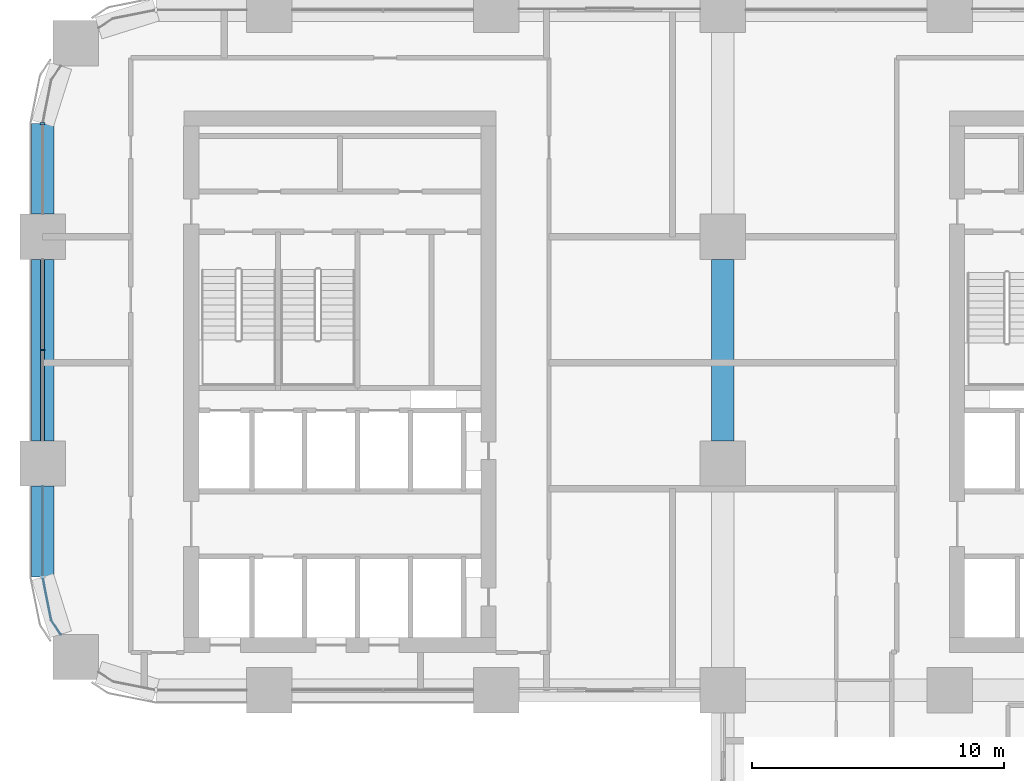
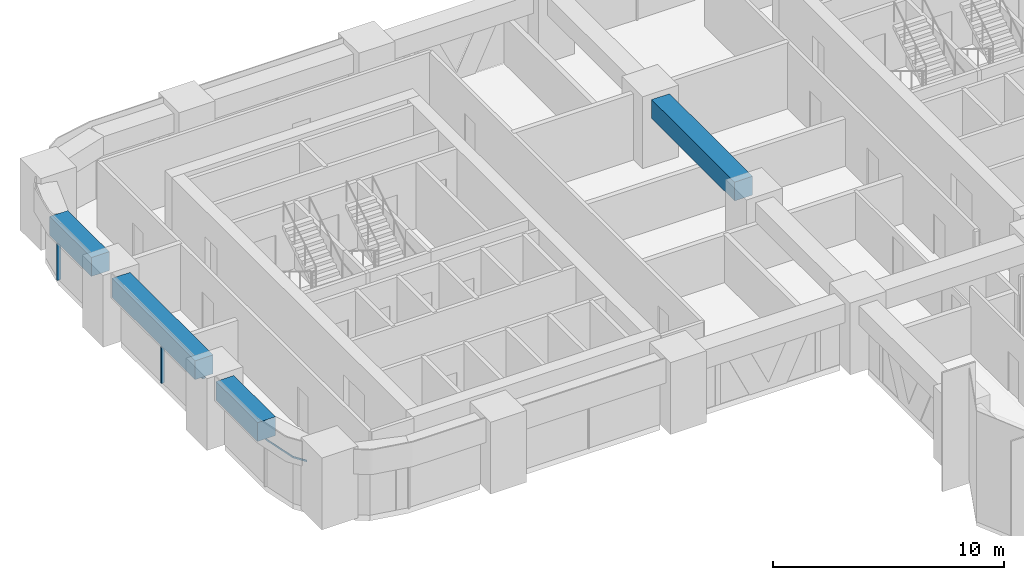
# One storey, part 7 of 19: 4 beams, 4 members, 3 elements without a shape of their own.
"""IFC4 building model written with IfcOpenShell, lengths in metres."""

import ifcopenshell
import ifcopenshell.guid

model = None  # the IFC model being written
_history = None  # IfcOwnerHistory: only IFC2X3 demands one
_inside = {}  # id of a spatial element -> (the spatial element, [elements in it])
_under = {}  # id of a project, library or spatial element -> (it, [spatial elements below it])
_declared = {}  # id of a project -> (the project, [libraries it declares])
_typed = {}  # id of a type object -> (the type object, [elements of that type])
_made_of = {}  # id of a material, layer set ... -> (it, [elements and type objects made of it])


def new_model(schema):
    """Start an empty IFC model of exactly this schema.

    Asked for "IFC4X3", IfcOpenShell would pick the latest addendum, in which some entities
    have other attributes; the version numbers below select the first issue.
    IFC2X3 requires an IfcOwnerHistory on every rooted entity: one is made here for all.
    """
    global model, _history
    if schema == "IFC4X3":
        model = ifcopenshell.file(schema_version=(4, 3, 0, 0))
    else:
        model = ifcopenshell.file(schema=schema)
    _inside.clear()
    _under.clear()
    _declared.clear()
    _typed.clear()
    _made_of.clear()
    _history = None
    if model.schema == "IFC2X3":
        org = make("IfcOrganization", Name="unknown")
        user = make(
            "IfcPersonAndOrganization",
            ThePerson=make("IfcPerson", FamilyName="unknown"),
            TheOrganization=org,
        )
        app = make(
            "IfcApplication",
            ApplicationDeveloper=org,
            Version="unknown",
            ApplicationFullName="unknown",
            ApplicationIdentifier="unknown",
        )
        _history = make(
            "IfcOwnerHistory",
            OwningUser=user,
            OwningApplication=app,
            ChangeAction="ADDED",
            CreationDate=0,
        )
    return model


def make(cls, **values):
    """One entity of the class cls with the attributes given. An attribute that is None is left unset."""
    return model.create_entity(
        cls, **{name: value for name, value in values.items() if value is not None}
    )


def rooted(cls, **values):
    """An entity with a GlobalId (a new one), such as an element, a storey or a relation."""
    return make(cls, GlobalId=ifcopenshell.guid.new(), OwnerHistory=_history, **values)


def si_unit(unit_type, name, prefix=None):
    """IfcSIUnit, for example si_unit("LENGTHUNIT", "METRE", prefix="MILLI")."""
    return make("IfcSIUnit", UnitType=unit_type, Prefix=prefix, Name=name)


def assignment(units):
    """IfcUnitAssignment: the units of a project."""
    return None if units is None else make("IfcUnitAssignment", Units=units)


def point(xyz):
    """IfcCartesianPoint."""
    return None if xyz is None else make("IfcCartesianPoint", Coordinates=xyz)


def direction(xyz):
    """IfcDirection."""
    return None if xyz is None else make("IfcDirection", DirectionRatios=xyz)


def frame(location, z_axis=None, x_axis=None):
    """IfcAxis2Placement3D, a coordinate frame: its origin and axes. An axis left out is left unset."""
    return make(
        "IfcAxis2Placement3D",
        Location=point(location),
        Axis=direction(z_axis),
        RefDirection=direction(x_axis),
    )


def frame_2d(location, x_axis=None):
    """IfcAxis2Placement2D, a coordinate frame in the plane: its origin and x axis."""
    return make(
        "IfcAxis2Placement2D", Location=point(location), RefDirection=direction(x_axis)
    )


def origin():
    """The frame at (0, 0, 0) with its axes left unset."""
    return frame((0.0, 0.0, 0.0))


def origin_2d():
    """The frame at (0, 0) in the plane with its x axis left unset."""
    return frame_2d((0.0, 0.0))


def place(relative_to, where):
    """IfcLocalPlacement: puts the frame where relative to a parent placement (None: the world)."""
    return make(
        "IfcLocalPlacement", PlacementRelTo=relative_to, RelativePlacement=where
    )


def context(
    kind, dimensions, precision=None, world=None, true_north=None, identifier=None
):
    """IfcGeometricRepresentationContext, for example the 3D "Model" context."""
    return make(
        "IfcGeometricRepresentationContext",
        ContextIdentifier=identifier,
        ContextType=kind,
        CoordinateSpaceDimension=dimensions,
        Precision=precision,
        WorldCoordinateSystem=world,
        TrueNorth=true_north,
    )


def subcontext(parent, identifier, kind, view, scale=None):
    """IfcGeometricRepresentationSubContext, for example "Body" below "Model"."""
    return make(
        "IfcGeometricRepresentationSubContext",
        ContextIdentifier=identifier,
        ContextType=kind,
        ParentContext=parent,
        TargetScale=scale,
        TargetView=view,
    )


def project(units=None, contexts=None):
    """IfcProject with its units and contexts."""
    return rooted(
        "IfcProject",
        Name="project",
        RepresentationContexts=contexts,
        UnitsInContext=assignment(units),
    )


def spatial(cls, under=None, at=None, **own):
    """A site, building, storey or space (cls), placed at a placement, below another one or the project."""
    s = rooted(cls, ObjectPlacement=at, **own)
    if under is not None:
        _under.setdefault(under.id(), (under, []))[1].append(s)
    return s


def polyline(points):
    """IfcPolyline through the points."""
    return make("IfcPolyline", Points=[point(p) for p in points])


def profile(cls, at=None, kind="AREA", **sizes):
    """A parametric profile (cls). Its sizes go by their IFC names, for example OverallWidth=200.0."""
    return make(cls, ProfileType=kind, Position=at, **sizes)


def rectangle(**sizes):
    """IfcRectangleProfileDef."""
    return profile("IfcRectangleProfileDef", **sizes)


def outline(outer, holes=None, kind="AREA"):
    """IfcArbitraryClosedProfileDef: a profile drawn as a closed curve; with holes, ...WithVoids."""
    if holes is None:
        return make("IfcArbitraryClosedProfileDef", ProfileType=kind, OuterCurve=outer)
    return make(
        "IfcArbitraryProfileDefWithVoids",
        ProfileType=kind,
        OuterCurve=outer,
        InnerCurves=holes,
    )


def extrude(swept, where, along, depth):
    """IfcExtrudedAreaSolid: the profile swept, set in the frame where, extruded along a direction by depth."""
    return make(
        "IfcExtrudedAreaSolid",
        SweptArea=swept,
        Position=where,
        ExtrudedDirection=direction(along),
        Depth=depth,
    )


def shape(context_of_items, identifier, shape_type, items):
    """IfcShapeRepresentation: the items that make up one representation, for example the "Body"."""
    return make(
        "IfcShapeRepresentation",
        ContextOfItems=context_of_items,
        RepresentationIdentifier=identifier,
        RepresentationType=shape_type,
        Items=items,
    )


def material(Name=None, Category=None):
    """IfcMaterial."""
    return make("IfcMaterial", Name=Name, Category=Category)


def material_profile(
    of_material, cross_section, Name=None, Category=None, Priority=None
):
    """IfcMaterialProfile: a cross section and its material."""
    return make(
        "IfcMaterialProfile",
        Name=Name,
        Material=of_material,
        Profile=cross_section,
        Priority=Priority,
        Category=Category,
    )


def profile_set(profiles, Name=None, composite=None):
    """IfcMaterialProfileSet."""
    return make(
        "IfcMaterialProfileSet",
        Name=Name,
        MaterialProfiles=profiles,
        CompositeProfile=composite,
    )


def made_of(thing, what):
    """Note that an element or type object is made of a material, layer set ...; save() writes the relation."""
    if what is not None:
        _made_of.setdefault(what.id(), (what, []))[1].append(thing)
    return thing


def type_object(cls, material=None, **own):
    """A type object (cls), such as IfcWallType, which elements share."""
    return made_of(rooted(cls, **own), material)


def element(
    cls,
    number,
    at=None,
    inside=None,
    cuts=None,
    type_object=None,
    material=None,
    context=None,
    identifier="Body",
    shape_type=None,
    held_by="IfcProductDefinitionShape",
    body=None,
    shapes=None,
    **own,
):
    """One element of the class cls, such as IfcWall. Its Tag is "e" and its number.

    at: its placement. inside: the storey or other place that contains it. cuts: it is an
    opening in that element (IfcRelVoidsElement). A single representation is given by context,
    identifier, shape_type and body (its items); several are given by shapes. held_by: the class
    of the entity that holds the representations. save() writes the other relations.
    """
    e = rooted(cls, Tag="e%d" % number, ObjectPlacement=at, **own)
    if body is not None:
        shapes = [shape(context, identifier, shape_type, body)]
    if shapes is not None:
        e.Representation = make(held_by, Representations=shapes)
    if inside is not None:
        _inside.setdefault(inside.id(), (inside, []))[1].append(e)
    if cuts is not None:
        rooted(
            "IfcRelVoidsElement", RelatingBuildingElement=cuts, RelatedOpeningElement=e
        )
    if type_object is not None:
        _typed.setdefault(type_object.id(), (type_object, []))[1].append(e)
    return made_of(e, material)


def aggregate(whole, parts):
    """IfcRelAggregates: a whole, such as a stair, and the parts it consists of."""
    return rooted("IfcRelAggregates", RelatingObject=whole, RelatedObjects=parts)


def save(model, path):
    """Write the relations noted so far, then the file.

    IfcRelAggregates (storeys below a building ...), IfcRelContainedInSpatialStructure (elements
    in a storey), IfcRelDefinesByType, IfcRelAssociatesMaterial and IfcRelDeclares: one each for
    every whole, place, type object, material and project.
    """
    for whole, parts in _under.values():
        aggregate(whole, parts)
    for where, things in _inside.values():
        rooted(
            "IfcRelContainedInSpatialStructure",
            RelatedElements=things,
            RelatingStructure=where,
        )
    for kind, things in _typed.values():
        rooted("IfcRelDefinesByType", RelatedObjects=things, RelatingType=kind)
    for what, things in _made_of.values():
        rooted("IfcRelAssociatesMaterial", RelatedObjects=things, RelatingMaterial=what)
    for by, libraries in _declared.values():
        rooted("IfcRelDeclares", RelatingContext=by, RelatedDefinitions=libraries)
    model.write(path)


model = new_model("IFC4")

# Units and contexts
model_context = context("Model", 3, precision=1e-05, world=origin(), true_north=direction((0.0, 1.0)))
body_context = subcontext(model_context, "Body", "Model", "MODEL_VIEW")
ifc_project = project(units=[si_unit("LENGTHUNIT", "METRE"), si_unit("AREAUNIT", "SQUARE_METRE"), si_unit("VOLUMEUNIT", "CUBIC_METRE"), si_unit("PLANEANGLEUNIT", "RADIAN"), si_unit("MASSUNIT", "GRAM", prefix="KILO")], contexts=[model_context])

# Site, building, storey
site_placement = place(None, origin())
site = spatial("IfcSite", under=ifc_project, at=site_placement, CompositionType="ELEMENT")
building_placement = place(site_placement, origin())
building = spatial("IfcBuilding", under=site, at=building_placement, Name="Tessera Arch", CompositionType="ELEMENT")
storey_placement = place(building_placement, frame((0.0, 0.0, 85.39990234375)))
storey = spatial("IfcBuildingStorey", under=building, at=storey_placement, Name="L19", CompositionType="ELEMENT", Elevation=85.39990234375)

# Curtain wall, members
ifc_material_1 = material(Name="CW1 curtain wall")
curtain_wall_type_1 = type_object("IfcCurtainWallType", Name="CW1 curtain wall", PredefinedType="NOTDEFINED", material=ifc_material_1)
curtain_wall_1_placement = place(storey_placement, origin())
curtain_wall_1 = element("IfcCurtainWall", 1, at=curtain_wall_1_placement, inside=storey, type_object=curtain_wall_type_1, Name="CW1 curtain wall W0.27/1 L19", PredefinedType="NOTDEFINED")
ifc_material_2 = material(Name="Anodised aluminium pale metal", Category="aluminium")
ifc_material_profile_1 = material_profile(ifc_material_2, rectangle(XDim=0.159912109375, YDim=0.06005859375, at=origin_2d()), Name="AL 60x160")
ifc_profile_set_1 = profile_set([ifc_material_profile_1], Name="Anodised aluminium pale metal")
member_type_1 = type_object("IfcMemberType", Name="CW1 mullion", PredefinedType="MULLION", material=ifc_profile_set_1)
member_1_placement = place(storey_placement, frame((0.0, 40.5, 0.0), z_axis=(0.0, 0.0, 1.0), x_axis=(1.0, 0.0, 0.0)))
member_1 = element("IfcMember", 2, at=member_1_placement, type_object=member_type_1, Name="CW1 mullion W0.27/1 1", PredefinedType="MULLION", context=body_context, shape_type="SweptSolid", body=[
    extrude(rectangle(XDim=0.159912109375, YDim=0.06005859375, at=origin_2d()), origin(), (0.0, 0.0, 1.0), 2.400146484375),
])
ifc_material_3 = material(Name="Anodised aluminium pale metal", Category="aluminium")
ifc_material_profile_2 = material_profile(ifc_material_3, rectangle(XDim=0.159912109375, YDim=0.10009765625, at=origin_2d()), Name="AL 160x100")
ifc_profile_set_2 = profile_set([ifc_material_profile_2], Name="Anodised aluminium pale metal")
member_type_2 = type_object("IfcMemberType", Name="CW1 transom", PredefinedType="USERDEFINED", material=ifc_profile_set_2)
member_2_placement = place(storey_placement, frame((0.0, 44.10009765625, 2.4501953125), z_axis=(0.0, -1.0, 0.0), x_axis=(1.0, 0.0, 0.0)))
member_2 = element("IfcMember", 3, at=member_2_placement, type_object=member_type_2, Name="CW1 transom W0.27/1 1.1", ObjectType="TRANSOM", PredefinedType="USERDEFINED", context=body_context, shape_type="SweptSolid", body=[
    extrude(rectangle(XDim=0.159912109375, YDim=0.10009765625, at=origin_2d()), origin(), (0.0, 0.0, 1.0), 7.2001953125),
])
aggregate(curtain_wall_1, [member_1, member_2])

# Curtain wall, member
ifc_material_4 = material(Name="CW2 curtain wall")
curtain_wall_type_2 = type_object("IfcCurtainWallType", Name="CW2 curtain wall", PredefinedType="NOTDEFINED", material=ifc_material_4)
curtain_wall_2_placement = place(storey_placement, origin())
curtain_wall_2 = element("IfcCurtainWall", 4, at=curtain_wall_2_placement, inside=storey, type_object=curtain_wall_type_2, Name="CW2 curtain wall W0.27/0 L19", PredefinedType="NOTDEFINED")
ifc_material_5 = material(Name="Anodised aluminium pale metal", Category="aluminium")
ifc_material_profile_3 = material_profile(ifc_material_5, rectangle(XDim=0.199951171875, YDim=0.080078125, at=origin_2d()), Name="AL 80x200")
ifc_profile_set_3 = profile_set([ifc_material_profile_3], Name="Anodised aluminium pale metal")
member_type_3 = type_object("IfcMemberType", Name="CW2 mullion", PredefinedType="MULLION", material=ifc_profile_set_3)
member_3_placement = place(storey_placement, frame((0.0, 49.5, 0.0), z_axis=(0.0, 0.0, 1.0), x_axis=(1.0, 0.0, 0.0)))
member_3 = element("IfcMember", 5, at=member_3_placement, type_object=member_type_3, Name="CW2 mullion W0.27/0 1", PredefinedType="MULLION", context=body_context, shape_type="SweptSolid", body=[
    extrude(rectangle(XDim=0.199951171875, YDim=0.080078125, at=origin_2d()), origin(), (0.0, 0.0, 1.0), 2.400146484375),
])
aggregate(curtain_wall_2, [member_3])

curtain_wall_3_placement = place(storey_placement, origin())
curtain_wall_3 = element("IfcCurtainWall", 6, at=curtain_wall_3_placement, inside=storey, type_object=curtain_wall_type_2, Name="CW2 curtain wall W0.27/2 L19", PredefinedType="NOTDEFINED")
ifc_material_6 = material(Name="Anodised aluminium pale metal", Category="aluminium")
ifc_material_profile_4 = material_profile(ifc_material_6, rectangle(XDim=0.199951171875, YDim=0.10009765625, at=origin_2d()), Name="AL 200x100")
ifc_profile_set_4 = profile_set([ifc_material_profile_4], Name="Anodised aluminium pale metal")
member_type_4 = type_object("IfcMemberType", Name="CW2 transom", PredefinedType="USERDEFINED", material=ifc_profile_set_4)
member_4_placement = place(storey_placement, frame((0.0, 0.0, 2.400146484375)))
member_4 = element("IfcMember", 7, at=member_4_placement, type_object=member_type_4, Name="CW2 transom W0.27/2 1", ObjectType="TRANSOM", PredefinedType="USERDEFINED", context=body_context, shape_type="SweptSolid", body=[
    extrude(outline(polyline([(0.010009765625, 31.5009765625), (0.010009765625, 35.10009765625), (-0.010009765625, 35.10009765625), (-0.010009765625, 31.4990234375), (0.3330078125, 29.77392578125), (0.70849609375, 29.21240234375), (0.72509765625, 29.2236328125), (0.351806640625, 29.78173828125), (0.010009765625, 31.5009765625)])), origin(), (0.0, 0.0, 1.0), 0.099853515625),
])
aggregate(curtain_wall_3, [member_4])

# Beams
ifc_material_7 = material(Name="Concrete C80/95", Category="concrete")
ifc_material_profile_5 = material_profile(ifc_material_7, rectangle(XDim=0.89990234375, YDim=1.0, at=origin_2d()), Name="RC spandrel beam 900 x 1000 Concrete C80/95")
ifc_profile_set_5 = profile_set([ifc_material_profile_5], Name="Concrete C80/95")
beam_type = type_object("IfcBeamType", Name="RC spandrel beam 900 x 1000 Concrete C80/95", PredefinedType="BEAM", material=ifc_profile_set_5)
beam_1_placement = place(storey_placement, frame((0.0, 49.5, 3.0), z_axis=(0.0, -1.0, 0.0), x_axis=(1.0, 0.0, 0.0)))
element("IfcBeam", 8, at=beam_1_placement, inside=storey, type_object=beam_type, Name="Spandrel beam L19 W0.27/0.2", PredefinedType="BEAM", context=body_context, shape_type="SweptSolid", body=[
    extrude(rectangle(XDim=0.89990234375, YDim=1.0, at=origin_2d()), origin(), (0.0, 0.0, 1.0), 3.60009765625),
])
beam_2_placement = place(storey_placement, frame((0.0, 44.10009765625, 3.0), z_axis=(0.0, -1.0, 0.0), x_axis=(1.0, 0.0, 0.0)))
element("IfcBeam", 9, at=beam_2_placement, inside=storey, type_object=beam_type, Name="Spandrel beam L19 W0.27/1", PredefinedType="BEAM", context=body_context, shape_type="SweptSolid", body=[
    extrude(rectangle(XDim=0.89990234375, YDim=1.0, at=origin_2d()), origin(), (0.0, 0.0, 1.0), 7.2001953125),
])
beam_3_placement = place(storey_placement, frame((0.0, 35.10009765625, 3.0), z_axis=(0.0, -1.0, 0.0), x_axis=(1.0, 0.0, 0.0)))
element("IfcBeam", 10, at=beam_3_placement, inside=storey, type_object=beam_type, Name="Spandrel beam L19 W0.27/2.1", PredefinedType="BEAM", context=body_context, shape_type="SweptSolid", body=[
    extrude(rectangle(XDim=0.89990234375, YDim=1.0, at=origin_2d()), origin(), (0.0, 0.0, 1.0), 3.60009765625),
])
beam_4_placement = place(storey_placement, frame((27.0, 36.89990234375, 3.0), z_axis=(0.0, 1.0, 0.0), x_axis=(-1.0, 0.0, 0.0)))
element("IfcBeam", 11, at=beam_4_placement, inside=storey, type_object=beam_type, Name="Interface beam L19 I0C4E-C4F", PredefinedType="BEAM", context=body_context, shape_type="SweptSolid", body=[
    extrude(rectangle(XDim=0.89990234375, YDim=1.0, at=origin_2d()), origin(), (0.0, 0.0, 1.0), 7.2001953125),
])

save(model, "model.ifc")
